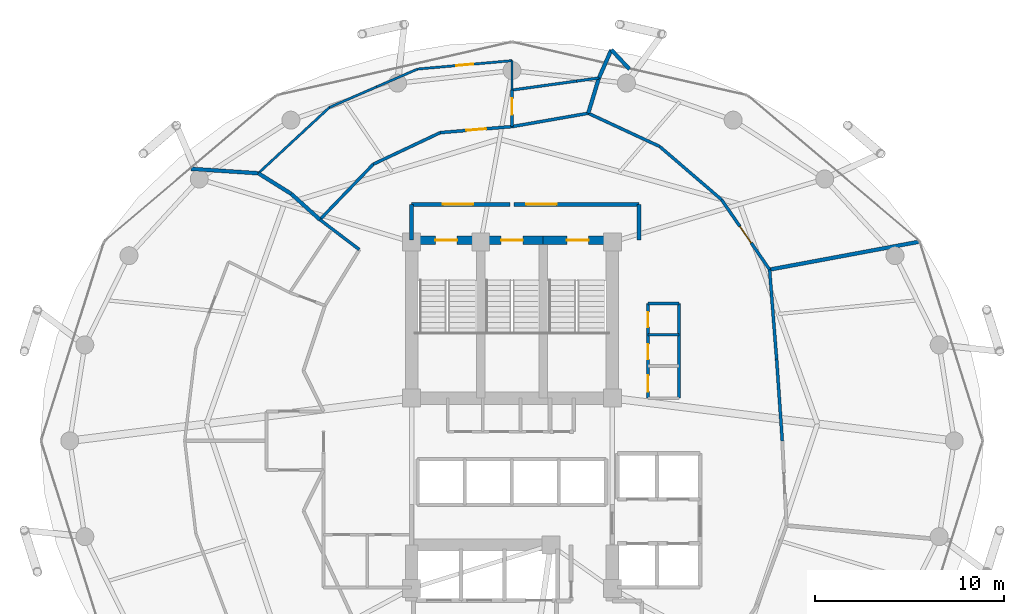
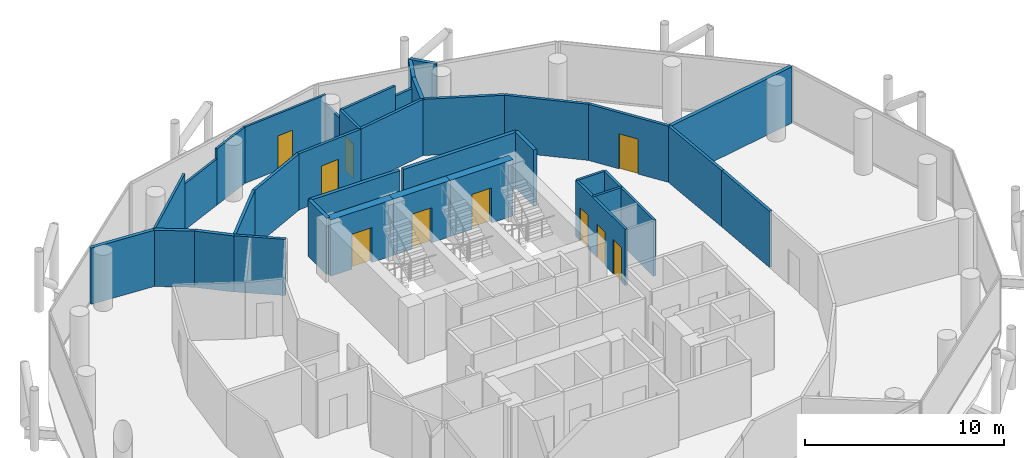
# One storey, part 24 of 26: 36 walls, 12 doors, 12 openings.
"""IFC4 building model written with IfcOpenShell, lengths in metres."""

from ifc_helpers import new_model, si_unit, direction, frame, frame_2d, origin, place, context, subcontext, project, spatial, rectangle, extrude, material, layer, layer_set, type_object, element, fill, save


model = new_model("IFC4")

# Units and contexts
model_context = context("Model", 3, precision=1e-05, world=origin(), true_north=direction((0.0, 1.0)))
body_context = subcontext(model_context, "Body", "Model", "MODEL_VIEW")
ifc_project = project(units=[si_unit("LENGTHUNIT", "METRE"), si_unit("AREAUNIT", "SQUARE_METRE"), si_unit("VOLUMEUNIT", "CUBIC_METRE"), si_unit("PLANEANGLEUNIT", "RADIAN"), si_unit("MASSUNIT", "GRAM", prefix="KILO")], contexts=[model_context])

# Site, building, storey
site_placement = place(None, origin())
site = spatial("IfcSite", under=ifc_project, at=site_placement, CompositionType="ELEMENT")
building_placement = place(site_placement, origin())
building = spatial("IfcBuilding", under=site, at=building_placement, Name="Nuhasar Tower", CompositionType="ELEMENT")
storey_placement = place(building_placement, frame((0.0, 0.0, 162.64990234375)))
storey = spatial("IfcBuildingStorey", under=building, at=storey_placement, Name="L39", CompositionType="ELEMENT", Elevation=162.64990234375)

# Wall, opening, door
ifc_material_1 = material(Name="Concrete C50/60", Category="concrete")
ifc_layer_1 = layer(ifc_material_1, 0.449951171875)
ifc_layer_set_1 = layer_set([ifc_layer_1], Name="Concrete C50/60")
wall_type_1 = type_object("IfcWallType", Name="WL-CORE-450", PredefinedType="SHEAR", material=ifc_layer_set_1)
wall_1_placement = place(storey_placement, frame((37.35009765625, 37.39990234375, 0.0), z_axis=(0.0, 0.0, 1.0), x_axis=(-1.0, 0.0, 0.0)))
wall_1 = element("IfcWall", 1, at=wall_1_placement, inside=storey, type_object=wall_type_1, Name="L39 Stairwell Shear Wall ST01-N", PredefinedType="SHEAR", context=body_context, shape_type="SweptSolid", body=[
    extrude(rectangle(XDim=3.650146484375, YDim=0.449951171875, at=frame_2d((1.8251953125, 0.0))), origin(), (0.0, 0.0, 1.0), 3.4501953125),
])
opening_1_placement = place(wall_1_placement, frame((1.25, 0.0, 0.0)))
opening_1 = element("IfcOpeningElement", 2, at=opening_1_placement, cuts=wall_1, Name="Opening DS-01", PredefinedType="OPENING", context=body_context, shape_type="SweptSolid", body=[
    extrude(rectangle(XDim=1.14990234375, YDim=2.14990234375, at=frame_2d((0.574951171875, 1.074951171875))), frame((0.0, 0.23486328125, 0.0), z_axis=(0.0, -1.0, 0.0), x_axis=(1.0, 0.0, 0.0)), (0.0, 0.0, 1.0), 0.469970703125),
])
ifc_material_2 = material(Name="Steel S355", Category="steel")
door_type_1 = type_object("IfcDoorType", Name="DR-STAIR-FD120-1150", OperationType="NOTDEFINED", PredefinedType="DOOR", material=ifc_material_2)
door_1_placement = place(opening_1_placement, origin())
door_1 = element("IfcDoor", 3, at=door_1_placement, inside=storey, type_object=door_type_1, Name="L39 Exit Stair ST-01 Door", OperationType="SINGLE_SWING_RIGHT", OverallHeight=2.14990234375, OverallWidth=1.14990234375, PredefinedType="DOOR", context=body_context, shape_type="SweptSolid", body=[
    extrude(rectangle(XDim=1.14990234375, YDim=2.14990234375, at=frame_2d((0.574951171875, 1.074951171875))), frame((0.0, 0.02490234375, 0.0), z_axis=(0.0, -1.0, 0.0), x_axis=(1.0, 0.0, 0.0)), (0.0, 0.0, 1.0), 0.050048828125),
])
fill(opening_1, door_1)

wall_2_placement = place(storey_placement, frame((40.64990234375, 37.39990234375, 0.0), z_axis=(0.0, 0.0, 1.0), x_axis=(-1.0, 0.0, 0.0)))
wall_2 = element("IfcWall", 4, at=wall_2_placement, inside=storey, type_object=wall_type_1, Name="L39 Stairwell Shear Wall ST03-N", PredefinedType="SHEAR", context=body_context, shape_type="SweptSolid", body=[
    extrude(rectangle(XDim=3.2998046875, YDim=0.449951171875, at=frame_2d((1.64990234375, 0.0))), origin(), (0.0, 0.0, 1.0), 3.4501953125),
])
opening_2_placement = place(wall_2_placement, frame((1.074951171875, 0.0, 0.0)))
opening_2 = element("IfcOpeningElement", 5, at=opening_2_placement, cuts=wall_2, Name="Opening DS-01", PredefinedType="OPENING", context=body_context, shape_type="SweptSolid", body=[
    extrude(rectangle(XDim=1.14990234375, YDim=2.14990234375, at=frame_2d((0.574951171875, 1.074951171875))), frame((0.0, 0.23486328125, 0.0), z_axis=(0.0, -1.0, 0.0), x_axis=(1.0, 0.0, 0.0)), (0.0, 0.0, 1.0), 0.469970703125),
])
door_2_placement = place(opening_2_placement, origin())
door_2 = element("IfcDoor", 6, at=door_2_placement, inside=storey, type_object=door_type_1, Name="L39 Exit Stair ST-03 Door", OperationType="SINGLE_SWING_RIGHT", OverallHeight=2.14990234375, OverallWidth=1.14990234375, PredefinedType="DOOR", context=body_context, shape_type="SweptSolid", body=[
    extrude(rectangle(XDim=1.14990234375, YDim=2.14990234375, at=frame_2d((0.574951171875, 1.074951171875))), frame((0.0, 0.02490234375, 0.0), z_axis=(0.0, -1.0, 0.0), x_axis=(1.0, 0.0, 0.0)), (0.0, 0.0, 1.0), 0.050048828125),
])
fill(opening_2, door_2)

wall_3_placement = place(storey_placement, frame((44.300048828125, 37.39990234375, 0.0), z_axis=(0.0, 0.0, 1.0), x_axis=(-1.0, 0.0, 0.0)))
wall_3 = element("IfcWall", 7, at=wall_3_placement, inside=storey, type_object=wall_type_1, Name="L39 Stairwell Shear Wall ST02-N", PredefinedType="SHEAR", context=body_context, shape_type="SweptSolid", body=[
    extrude(rectangle(XDim=3.650146484375, YDim=0.449951171875, at=frame_2d((1.8251953125, 0.0))), origin(), (0.0, 0.0, 1.0), 3.4501953125),
])
opening_3_placement = place(wall_3_placement, frame((1.25, 0.0, 0.0)))
opening_3 = element("IfcOpeningElement", 8, at=opening_3_placement, cuts=wall_3, Name="Opening DS-01", PredefinedType="OPENING", context=body_context, shape_type="SweptSolid", body=[
    extrude(rectangle(XDim=1.14990234375, YDim=2.14990234375, at=frame_2d((0.574951171875, 1.074951171875))), frame((0.0, 0.23486328125, 0.0), z_axis=(0.0, -1.0, 0.0), x_axis=(1.0, 0.0, 0.0)), (0.0, 0.0, 1.0), 0.469970703125),
])
door_3_placement = place(opening_3_placement, origin())
door_3 = element("IfcDoor", 9, at=door_3_placement, inside=storey, type_object=door_type_1, Name="L39 Exit Stair ST-02 Door", OperationType="SINGLE_SWING_LEFT", OverallHeight=2.14990234375, OverallWidth=1.14990234375, PredefinedType="DOOR", context=body_context, shape_type="SweptSolid", body=[
    extrude(rectangle(XDim=1.14990234375, YDim=2.14990234375, at=frame_2d((0.574951171875, 1.074951171875))), frame((0.0, 0.02490234375, 0.0), z_axis=(0.0, -1.0, 0.0), x_axis=(1.0, 0.0, 0.0)), (0.0, 0.0, 1.0), 0.050048828125),
])
fill(opening_3, door_3)

# Walls
ifc_material_3 = material(Name="Gypsum Board", Category="gypsum")
ifc_layer_2 = layer(ifc_material_3, 0.159912109375)
ifc_layer_set_2 = layer_set([ifc_layer_2], Name="Gypsum Board")
wall_type_2 = type_object("IfcWallType", Name="WL-CORR-160", PredefinedType="PARTITIONING", material=ifc_layer_set_2)
wall_4_placement = place(storey_placement, frame((53.27001953125, 26.800048828125, 0.0), z_axis=(0.0, 0.0, 1.0), x_axis=(-0.068997967222, 0.99761680044, 0.0)))
element("IfcWall", 10, at=wall_4_placement, inside=storey, type_object=wall_type_2, Name="L39 Interior Partition CORR-00", PredefinedType="PARTITIONING", context=body_context, shape_type="SweptSolid", body=[
    extrude(rectangle(XDim=4.3203125, YDim=0.159912109375, at=frame_2d((2.16015625, 0.0))), origin(), (0.0, 0.0, 1.0), 3.4501953125),
])
wall_5_placement = place(storey_placement, frame((52.971923828125, 31.110107421875, 0.0), z_axis=(0.0, 0.0, 1.0), x_axis=(-0.078589421441, 0.996907068306, 0.0)))
element("IfcWall", 11, at=wall_5_placement, inside=storey, type_object=wall_type_2, Name="L39 Interior Partition CORR-02", PredefinedType="PARTITIONING", context=body_context, shape_type="SweptSolid", body=[
    extrude(rectangle(XDim=4.74365234375, YDim=0.159912109375, at=frame_2d((2.371826171875, 0.0))), origin(), (0.0, 0.0, 1.0), 3.4501953125),
])

# Wall, opening, door
wall_6_placement = place(storey_placement, frame((50.06201171875, 39.533935546875, 0.0), z_axis=(0.0, 0.0, 1.0), x_axis=(0.566061755794, -0.824362837971, 0.0)))
wall_6 = element("IfcWall", 12, at=wall_6_placement, inside=storey, type_object=wall_type_2, Name="L39 Interior Partition CORR-04", PredefinedType="PARTITIONING", context=body_context, shape_type="SweptSolid", body=[
    extrude(rectangle(XDim=4.48193359375, YDim=0.159912109375, at=frame_2d((2.240966796875, 0.0))), origin(), (0.0, 0.0, 1.0), 3.4501953125),
])
opening_4_placement = place(wall_6_placement, frame((1.716064453125, 0.0, 0.0)))
opening_4 = element("IfcOpeningElement", 13, at=opening_4_placement, cuts=wall_6, Name="Opening DU-01", PredefinedType="OPENING", context=body_context, shape_type="SweptSolid", body=[
    extrude(rectangle(XDim=1.050048828125, YDim=2.14990234375, at=frame_2d((0.52490234375, 1.074951171875))), frame((0.0, 0.08984375, 0.0), z_axis=(0.0, -1.0, 0.0), x_axis=(1.0, 0.0, 0.0)), (0.0, 0.0, 1.0), 0.179931640625),
])
ifc_material_4 = material(Name="Timber Oak", Category="wood")
door_type_2 = type_object("IfcDoorType", Name="DR-SUITE-FD60-1050", OperationType="NOTDEFINED", PredefinedType="DOOR", material=ifc_material_4)
door_4_placement = place(opening_4_placement, origin())
door_4 = element("IfcDoor", 14, at=door_4_placement, inside=storey, type_object=door_type_2, Name="L39 Butler Catering Kitchen Entrance Door", OperationType="SINGLE_SWING_LEFT", OverallHeight=2.14990234375, OverallWidth=1.050048828125, PredefinedType="DOOR", context=body_context, shape_type="SweptSolid", body=[
    extrude(rectangle(XDim=1.050048828125, YDim=2.14990234375, at=frame_2d((0.52490234375, 1.074951171875))), frame((0.0, 0.02490234375, 0.0), z_axis=(0.0, -1.0, 0.0), x_axis=(1.0, 0.0, 0.0)), (0.0, 0.0, 1.0), 0.050048828125),
])
fill(opening_4, door_4)

# Walls
wall_7_placement = place(storey_placement, frame((50.06201171875, 39.533935546875, 0.0), z_axis=(0.0, 0.0, 1.0), x_axis=(-0.758367831638, 0.651826841989, 0.0)))
element("IfcWall", 15, at=wall_7_placement, inside=storey, type_object=wall_type_2, Name="L39 Interior Partition CORR-06", PredefinedType="PARTITIONING", context=body_context, shape_type="SweptSolid", body=[
    extrude(rectangle(XDim=4.30810546875, YDim=0.159912109375, at=frame_2d((2.154052734375, 0.0))), origin(), (0.0, 0.0, 1.0), 3.4501953125),
])
wall_8_placement = place(storey_placement, frame((46.794921875, 42.342041015625, 0.0), z_axis=(0.0, 0.0, 1.0), x_axis=(-0.906821379678, 0.421515106916, 0.0)))
element("IfcWall", 16, at=wall_8_placement, inside=storey, type_object=wall_type_2, Name="L39 Interior Partition CORR-08", PredefinedType="PARTITIONING", context=body_context, shape_type="SweptSolid", body=[
    extrude(rectangle(XDim=4.15625, YDim=0.159912109375, at=frame_2d((2.078125, 0.0))), origin(), (0.0, 0.0, 1.0), 3.4501953125),
])
wall_9_placement = place(storey_placement, frame((43.02587890625, 44.093994140625, 0.0), z_axis=(0.0, 0.0, 1.0), x_axis=(-0.985048212501, -0.172278899021, 0.0)))
element("IfcWall", 17, at=wall_9_placement, inside=storey, type_object=wall_type_2, Name="L39 Interior Partition CORR-10", PredefinedType="PARTITIONING", context=body_context, shape_type="SweptSolid", body=[
    extrude(rectangle(XDim=4.0869140625, YDim=0.159912109375, at=frame_2d((2.04345703125, 0.0))), origin(), (0.0, 0.0, 1.0), 3.4501953125),
])

# Wall, opening, door
wall_10_placement = place(storey_placement, frame((35.2119140625, 43.072021484375, 0.0), z_axis=(0.0, 0.0, 1.0), x_axis=(0.9964977572, 0.083619494707, 0.0)))
wall_10 = element("IfcWall", 18, at=wall_10_placement, inside=storey, type_object=wall_type_2, Name="L39 Interior Partition CORR-12", PredefinedType="PARTITIONING", context=body_context, shape_type="SweptSolid", body=[
    extrude(rectangle(XDim=3.801513671875, YDim=0.159912109375, at=frame_2d((1.90087890625, 0.0))), origin(), (0.0, 0.0, 1.0), 3.4501953125),
])
opening_5_placement = place(wall_10_placement, frame((1.3759765625, 0.0, 0.0)))
opening_5 = element("IfcOpeningElement", 19, at=opening_5_placement, cuts=wall_10, Name="Opening DU-01", PredefinedType="OPENING", context=body_context, shape_type="SweptSolid", body=[
    extrude(rectangle(XDim=1.050048828125, YDim=2.14990234375, at=frame_2d((0.52490234375, 1.074951171875))), frame((0.0, 0.08984375, 0.0), z_axis=(0.0, -1.0, 0.0), x_axis=(1.0, 0.0, 0.0)), (0.0, 0.0, 1.0), 0.179931640625),
])
door_5_placement = place(opening_5_placement, origin())
door_5 = element("IfcDoor", 20, at=door_5_placement, inside=storey, type_object=door_type_2, Name="L39 Ambassador Suite North-East Entrance Door", OperationType="SINGLE_SWING_LEFT", OverallHeight=2.14990234375, OverallWidth=1.050048828125, PredefinedType="DOOR", context=body_context, shape_type="SweptSolid", body=[
    extrude(rectangle(XDim=1.050048828125, YDim=2.14990234375, at=frame_2d((0.52490234375, 1.074951171875))), frame((0.0, 0.02490234375, 0.0), z_axis=(0.0, -1.0, 0.0), x_axis=(1.0, 0.0, 0.0)), (0.0, 0.0, 1.0), 0.050048828125),
])
fill(opening_5, door_5)

# Walls
wall_11_placement = place(storey_placement, frame((35.2119140625, 43.072021484375, 0.0), z_axis=(0.0, 0.0, 1.0), x_axis=(-0.904422045182, -0.426638915465, 0.0)))
element("IfcWall", 21, at=wall_11_placement, inside=storey, type_object=wall_type_2, Name="L39 Interior Partition CORR-14", PredefinedType="PARTITIONING", context=body_context, shape_type="SweptSolid", body=[
    extrude(rectangle(XDim=3.90966796875, YDim=0.159912109375, at=frame_2d((1.954833984375, 0.0))), origin(), (0.0, 0.0, 1.0), 3.4501953125),
])
wall_12_placement = place(storey_placement, frame((31.676025390625, 41.404052734375, 0.0), z_axis=(0.0, 0.0, 1.0), x_axis=(-0.693829815221, -0.720139005686, 0.0)))
element("IfcWall", 22, at=wall_12_placement, inside=storey, type_object=wall_type_2, Name="L39 Interior Partition CORR-16", PredefinedType="PARTITIONING", context=body_context, shape_type="SweptSolid", body=[
    extrude(rectangle(XDim=4.064453125, YDim=0.159912109375, at=frame_2d((2.0322265625, 0.0))), origin(), (0.0, 0.0, 1.0), 3.4501953125),
])
wall_13_placement = place(storey_placement, frame((30.93896484375, 36.89697265625, 0.0), z_axis=(0.0, 0.0, 1.0), x_axis=(-0.796716077532, 0.604353780332, 0.0)))
element("IfcWall", 23, at=wall_13_placement, inside=storey, type_object=wall_type_2, Name="L39 Interior Partition HRAD-18-IN", PredefinedType="PARTITIONING", context=body_context, shape_type="SweptSolid", body=[
    extrude(rectangle(XDim=2.614501953125, YDim=0.159912109375, at=frame_2d((1.30712890625, 0.0))), origin(), (0.0, 0.0, 1.0), 3.4501953125),
])
ifc_material_5 = material(Name="Concrete C45/55", Category="concrete")
ifc_layer_3 = layer(ifc_material_5, 0.199951171875)
ifc_layer_set_3 = layer_set([ifc_layer_3], Name="Concrete C45/55")
wall_type_3 = type_object("IfcWallType", Name="WL-LOBBY-200", PredefinedType="SOLIDWALL", material=ifc_layer_set_3)
for number, where, z_axis, x_axis, name in (
    (24, (33.699951171875, 37.39990234375, 0.0), (0.0, 0.0, 1.0), (0.0, 1.0, 0.0), "L39 Interior Partition NSL-W"),
    (25, (45.699951171875, 37.39990234375, 0.0), (0.0, 0.0, 1.0), (0.0, 1.0, 0.0), "L39 Interior Partition NSL-E"),
):
    element("IfcWall", number, at=place(storey_placement, frame(where, z_axis=z_axis, x_axis=x_axis)), inside=storey, type_object=wall_type_3, Name=name, PredefinedType="SOLIDWALL", context=body_context, shape_type="SweptSolid", body=[
        extrude(rectangle(XDim=1.880126953125, YDim=0.199951171875, at=frame_2d((0.93994140625, 0.0))), origin(), (0.0, 0.0, 1.0), 3.4501953125),
    ])

# Wall, opening, door
wall_14_placement = place(storey_placement, frame((38.89990234375, 39.280029296875, 0.0), z_axis=(0.0, 0.0, 1.0), x_axis=(-1.0, 0.0, 0.0)))
wall_14 = element("IfcWall", 26, at=wall_14_placement, inside=storey, type_object=wall_type_3, Name="L39 Interior Partition NSL-N1", PredefinedType="SOLIDWALL", context=body_context, shape_type="SweptSolid", body=[
    extrude(rectangle(XDim=5.199951171875, YDim=0.199951171875, at=frame_2d((2.60009765625, 0.0))), origin(), (0.0, 0.0, 1.0), 3.4501953125),
])
opening_6_placement = place(wall_14_placement, frame((1.949951171875, 0.0, 0.0)))
opening_6 = element("IfcOpeningElement", 27, at=opening_6_placement, cuts=wall_14, Name="Opening DC-01", PredefinedType="OPENING", context=body_context, shape_type="SweptSolid", body=[
    extrude(rectangle(XDim=1.60009765625, YDim=2.199951171875, at=frame_2d((0.800048828125, 1.10009765625))), frame((0.0, 0.10986328125, 0.0), z_axis=(0.0, -1.0, 0.0), x_axis=(1.0, 0.0, 0.0)), (0.0, 0.0, 1.0), 0.219970703125),
])
door_type_3 = type_object("IfcDoorType", Name="DR-CORR-FD60-1600", OperationType="DOUBLE_DOOR_SINGLE_SWING", PredefinedType="DOOR", material=ifc_material_2)
door_6_placement = place(opening_6_placement, origin())
door_6 = element("IfcDoor", 28, at=door_6_placement, inside=storey, type_object=door_type_3, Name="L39 North Stair Lobby West Door", OperationType="DOUBLE_DOOR_SINGLE_SWING", OverallHeight=2.199951171875, OverallWidth=1.60009765625, PredefinedType="DOOR", context=body_context, shape_type="SweptSolid", body=[
    extrude(rectangle(XDim=1.60009765625, YDim=2.199951171875, at=frame_2d((0.800048828125, 1.10009765625))), frame((0.0, 0.02490234375, 0.0), z_axis=(0.0, -1.0, 0.0), x_axis=(1.0, 0.0, 0.0)), (0.0, 0.0, 1.0), 0.050048828125),
])
fill(opening_6, door_6)

wall_15_placement = place(storey_placement, frame((45.699951171875, 39.280029296875, 0.0), z_axis=(0.0, 0.0, 1.0), x_axis=(-1.0, 0.0, 0.0)))
wall_15 = element("IfcWall", 29, at=wall_15_placement, inside=storey, type_object=wall_type_3, Name="L39 Interior Partition NSL-N2", PredefinedType="SOLIDWALL", context=body_context, shape_type="SweptSolid", body=[
    extrude(rectangle(XDim=6.599853515625, YDim=0.199951171875, at=frame_2d((3.2998046875, 0.0))), origin(), (0.0, 0.0, 1.0), 3.4501953125),
])
opening_7_placement = place(wall_15_placement, frame((4.35009765625, 0.0, 0.0)))
opening_7 = element("IfcOpeningElement", 30, at=opening_7_placement, cuts=wall_15, Name="Opening DC-01", PredefinedType="OPENING", context=body_context, shape_type="SweptSolid", body=[
    extrude(rectangle(XDim=1.60009765625, YDim=2.199951171875, at=frame_2d((0.800048828125, 1.10009765625))), frame((0.0, 0.10986328125, 0.0), z_axis=(0.0, -1.0, 0.0), x_axis=(1.0, 0.0, 0.0)), (0.0, 0.0, 1.0), 0.219970703125),
])
door_7_placement = place(opening_7_placement, origin())
door_7 = element("IfcDoor", 31, at=door_7_placement, inside=storey, type_object=door_type_3, Name="L39 North Stair Lobby East Door", OperationType="DOUBLE_DOOR_SINGLE_SWING", OverallHeight=2.199951171875, OverallWidth=1.60009765625, PredefinedType="DOOR", context=body_context, shape_type="SweptSolid", body=[
    extrude(rectangle(XDim=1.60009765625, YDim=2.199951171875, at=frame_2d((0.800048828125, 1.10009765625))), frame((0.0, 0.02490234375, 0.0), z_axis=(0.0, -1.0, 0.0), x_axis=(1.0, 0.0, 0.0)), (0.0, 0.0, 1.0), 0.050048828125),
])
fill(opening_7, door_7)

# Wall
ifc_layer_4 = layer(ifc_material_3, 0.125)
ifc_layer_set_4 = layer_set([ifc_layer_4], Name="Gypsum Board")
wall_type_4 = type_object("IfcWallType", Name="WL-PART-125", PredefinedType="PARTITIONING", material=ifc_layer_set_4)
wall_16_placement = place(storey_placement, frame((39.0, 45.320068359375, 0.0), z_axis=(0.0, 0.0, 1.0), x_axis=(0.0, 1.0, 0.0)))
element("IfcWall", 32, at=wall_16_placement, inside=storey, type_object=wall_type_4, Name="L39 Interior Partition HBS-05", PredefinedType="PARTITIONING", context=body_context, shape_type="SweptSolid", body=[
    extrude(rectangle(XDim=1.550048828125, YDim=0.125, at=frame_2d((0.77490234375, 0.0))), origin(), (0.0, 0.0, 1.0), 2.9150390625),
])

# Wall, opening, door
wall_17_placement = place(storey_placement, frame((34.013916015625, 46.428955078125, 0.0), z_axis=(0.0, 0.0, 1.0), x_axis=(0.996108594928, 0.088134369634, 0.0)))
wall_17 = element("IfcWall", 33, at=wall_17_placement, inside=storey, type_object=wall_type_4, Name="L39 Interior Partition HSAL-05-12", PredefinedType="PARTITIONING", context=body_context, shape_type="SweptSolid", body=[
    extrude(rectangle(XDim=5.005615234375, YDim=0.125, at=frame_2d((2.5029296875, 0.0))), origin(), (0.0, 0.0, 1.0), 3.4501953125),
])
opening_8_placement = place(wall_17_placement, frame((2.052978515625, 0.0, 0.0)))
opening_8 = element("IfcOpeningElement", 34, at=opening_8_placement, cuts=wall_17, Name="Opening DR-01", PredefinedType="OPENING", context=body_context, shape_type="SweptSolid", body=[
    extrude(rectangle(XDim=0.89990234375, YDim=2.10009765625, at=frame_2d((0.449951171875, 1.050048828125))), frame((0.0, 0.072509765625, 0.0), z_axis=(0.0, -1.0, 0.0), x_axis=(1.0, 0.0, 0.0)), (0.0, 0.0, 1.0), 0.14501953125),
])
door_type_4 = type_object("IfcDoorType", Name="DR-ROOM-900", OperationType="NOTDEFINED", PredefinedType="DOOR", material=ifc_material_4)
door_8_placement = place(opening_8_placement, origin())
door_8 = element("IfcDoor", 35, at=door_8_placement, inside=storey, type_object=door_type_4, Name="L39 Ambassador Suite North-East Bedroom Door", OperationType="SINGLE_SWING_LEFT", OverallHeight=2.10009765625, OverallWidth=0.89990234375, PredefinedType="DOOR", context=body_context, shape_type="SweptSolid", body=[
    extrude(rectangle(XDim=0.89990234375, YDim=2.10009765625, at=frame_2d((0.449951171875, 1.050048828125))), frame((0.0, 0.02490234375, 0.0), z_axis=(0.0, -1.0, 0.0), x_axis=(1.0, 0.0, 0.0)), (0.0, 0.0, 1.0), 0.050048828125),
])
fill(opening_8, door_8)

# Walls
wall_18_placement = place(storey_placement, frame((34.013916015625, 46.428955078125, 0.0), z_axis=(0.0, 0.0, 1.0), x_axis=(-0.916977586011, -0.398938725564, 0.0)))
element("IfcWall", 36, at=wall_18_placement, inside=storey, type_object=wall_type_4, Name="L39 Interior Partition HSAL-05-14", PredefinedType="PARTITIONING", context=body_context, shape_type="SweptSolid", body=[
    extrude(rectangle(XDim=2.351318359375, YDim=0.125, at=frame_2d((1.17578125, 0.0))), origin(), (0.0, 0.0, 1.0), 3.4501953125),
])
wall_19_placement = place(storey_placement, frame((31.85791015625, 45.490966796875, 0.0), z_axis=(0.0, 0.0, 1.0), x_axis=(-0.916850166373, -0.399231477242, 0.0)))
element("IfcWall", 37, at=wall_19_placement, inside=storey, type_object=wall_type_4, Name="L39 Interior Partition HSAL-05-14", PredefinedType="PARTITIONING", context=body_context, shape_type="SweptSolid", body=[
    extrude(rectangle(XDim=2.719970703125, YDim=0.125, at=frame_2d((1.35986328125, 0.0))), origin(), (0.0, 0.0, 1.0), 2.830078125),
])
wall_20_placement = place(storey_placement, frame((29.364013671875, 44.405029296875, 0.0), z_axis=(0.0, 0.0, 1.0), x_axis=(-0.733833747784, -0.679329103316, 0.0)))
element("IfcWall", 38, at=wall_20_placement, inside=storey, type_object=wall_type_4, Name="L39 Interior Partition HSAL-05-16", PredefinedType="PARTITIONING", context=body_context, shape_type="SweptSolid", body=[
    extrude(rectangle(XDim=5.119873046875, YDim=0.125, at=frame_2d((2.56005859375, 0.0))), origin(), (0.0, 0.0, 1.0), 3.4501953125),
])
ifc_material_6 = material(Name="Concrete C40/50 precast", Category="concrete")
ifc_layer_5 = layer(ifc_material_6, 0.199951171875)
ifc_layer_set_5 = layer_set([ifc_layer_5], Name="Concrete C40/50 precast")
wall_type_5 = type_object("IfcWallType", Name="WL-UNIT-200", PredefinedType="PARTITIONING", material=ifc_layer_set_5)
wall_21_placement = place(storey_placement, frame((28.85595703125, 38.47705078125, 0.0), z_axis=(0.0, 0.0, 1.0), x_axis=(-0.742630647444, 0.669701218064, 0.0)))
element("IfcWall", 39, at=wall_21_placement, inside=storey, type_object=wall_type_5, Name="L39 Interior Partition HRAD-18-OUT-S1", PredefinedType="PARTITIONING", context=body_context, shape_type="SweptSolid", body=[
    extrude(rectangle(XDim=2.031982421875, YDim=0.199951171875, at=frame_2d((1.01611328125, 0.0))), origin(), (0.0, 0.0, 1.0), 3.4501953125),
])
wall_22_placement = place(storey_placement, frame((27.346923828125, 39.837890625, 0.0), z_axis=(0.0, 0.0, 1.0), x_axis=(-0.847643984813, 0.530565429529, 0.0)))
element("IfcWall", 40, at=wall_22_placement, inside=storey, type_object=wall_type_5, Name="L39 Interior Partition HRAD-18-OUT-S2", PredefinedType="PARTITIONING", context=body_context, shape_type="SweptSolid", body=[
    extrude(rectangle(XDim=2.052734375, YDim=0.199951171875, at=frame_2d((1.0263671875, 0.0))), origin(), (0.0, 0.0, 1.0), 3.4501953125),
])
wall_23_placement = place(storey_placement, frame((25.60693359375, 40.927001953125, 0.0), z_axis=(0.0, 0.0, 1.0), x_axis=(-0.997870248491, 0.065230109433, 0.0)))
element("IfcWall", 41, at=wall_23_placement, inside=storey, type_object=wall_type_5, Name="L39 Interior Partition HRAD-18-OUT-S3", PredefinedType="PARTITIONING", context=body_context, shape_type="SweptSolid", body=[
    extrude(rectangle(XDim=3.570556640625, YDim=0.199951171875, at=frame_2d((1.78515625, 0.0))), origin(), (0.0, 0.0, 1.0), 3.4501953125),
])
wall_24_placement = place(storey_placement, frame((52.59912109375, 35.839111328125, 0.0), z_axis=(0.0, 0.0, 1.0), x_axis=(0.983059463928, 0.183286907283, 0.0)))
element("IfcWall", 42, at=wall_24_placement, inside=storey, type_object=wall_type_5, Name="L39 Interior Partition HRAD-04", PredefinedType="PARTITIONING", context=body_context, shape_type="SweptSolid", body=[
    extrude(rectangle(XDim=8.0361328125, YDim=0.199951171875, at=frame_2d((4.01806640625, 0.0))), origin(), (0.0, 0.0, 1.0), 3.4501953125),
])
wall_25_placement = place(storey_placement, frame((43.02587890625, 44.093994140625, 0.0), z_axis=(0.0, 0.0, 1.0), x_axis=(0.288948158406, 0.957344745509, 0.0)))
element("IfcWall", 43, at=wall_25_placement, inside=storey, type_object=wall_type_5, Name="L39 Interior Partition HRAD-10-S1", PredefinedType="PARTITIONING", context=body_context, shape_type="SweptSolid", body=[
    extrude(rectangle(XDim=1.945068359375, YDim=0.199951171875, at=frame_2d((0.97265625, 0.0))), origin(), (0.0, 0.0, 1.0), 3.4501953125),
])
wall_26_placement = place(storey_placement, frame((43.587890625, 45.9560546875, 0.0), z_axis=(0.0, 0.0, 1.0), x_axis=(0.403356140533, 0.915043072153, 0.0)))
element("IfcWall", 44, at=wall_26_placement, inside=storey, type_object=wall_type_5, Name="L39 Interior Partition HRAD-10-S2", PredefinedType="PARTITIONING", context=body_context, shape_type="SweptSolid", body=[
    extrude(rectangle(XDim=1.62939453125, YDim=0.199951171875, at=frame_2d((0.814697265625, 0.0))), origin(), (0.0, 0.0, 1.0), 3.4501953125),
])
wall_27_placement = place(storey_placement, frame((44.2451171875, 47.447021484375, 0.0), z_axis=(0.0, 0.0, 1.0), x_axis=(0.681811991259, -0.731527448955, 0.0)))
element("IfcWall", 45, at=wall_27_placement, inside=storey, type_object=wall_type_5, Name="L39 Interior Partition HRAD-10-S3", PredefinedType="PARTITIONING", context=body_context, shape_type="SweptSolid", body=[
    extrude(rectangle(XDim=1.409423828125, YDim=0.199951171875, at=frame_2d((0.70458984375, 0.0))), origin(), (0.0, 0.0, 1.0), 3.4501953125),
])

# Wall, openings, doors
ifc_layer_6 = layer(ifc_material_6, 0.139892578125)
ifc_layer_set_6 = layer_set([ifc_layer_6], Name="Concrete C40/50 precast")
wall_type_6 = type_object("IfcWallType", Name="WL-WET-140", PredefinedType="PARTITIONING", material=ifc_layer_set_6)
wall_28_placement = place(storey_placement, frame((46.179931640625, 34.050048828125, 0.0), z_axis=(0.0, 0.0, 1.0), x_axis=(0.0, -1.0, 0.0)))
wall_28 = element("IfcWall", 46, at=wall_28_placement, inside=storey, type_object=wall_type_6, Name="L39 Interior Partition K1-NE-W", PredefinedType="PARTITIONING", context=body_context, shape_type="SweptSolid", body=[
    extrude(rectangle(XDim=5.0, YDim=0.139892578125, at=frame_2d((2.5, 0.0))), origin(), (0.0, 0.0, 1.0), 3.4501953125),
])
opening_9_placement = place(wall_28_placement, frame((3.800048828125, 0.0, 0.0)))
opening_9 = element("IfcOpeningElement", 47, at=opening_9_placement, cuts=wall_28, Name="Opening DB-01", PredefinedType="OPENING", context=body_context, shape_type="SweptSolid", body=[
    extrude(rectangle(XDim=0.85009765625, YDim=2.10009765625, at=frame_2d((0.425048828125, 1.050048828125))), frame((0.0, 0.080078125, 0.0), z_axis=(0.0, -1.0, 0.0), x_axis=(1.0, 0.0, 0.0)), (0.0, 0.0, 1.0), 0.159912109375),
])
opening_10_placement = place(wall_28_placement, frame((2.14990234375, 0.0, 0.0)))
opening_10 = element("IfcOpeningElement", 48, at=opening_10_placement, cuts=wall_28, Name="Opening DM-01", PredefinedType="OPENING", context=body_context, shape_type="SweptSolid", body=[
    extrude(rectangle(XDim=0.800048828125, YDim=2.050048828125, at=frame_2d((0.39990234375, 1.02490234375))), frame((0.0, 0.080078125, 0.0), z_axis=(0.0, -1.0, 0.0), x_axis=(1.0, 0.0, 0.0)), (0.0, 0.0, 1.0), 0.159912109375),
])
opening_11_placement = place(wall_28_placement, frame((0.449951171875, 0.0, 0.0)))
opening_11 = element("IfcOpeningElement", 49, at=opening_11_placement, cuts=wall_28, Name="Opening DM-01", PredefinedType="OPENING", context=body_context, shape_type="SweptSolid", body=[
    extrude(rectangle(XDim=0.800048828125, YDim=2.050048828125, at=frame_2d((0.39990234375, 1.02490234375))), frame((0.0, 0.080078125, 0.0), z_axis=(0.0, -1.0, 0.0), x_axis=(1.0, 0.0, 0.0)), (0.0, 0.0, 1.0), 0.159912109375),
])
door_type_5 = type_object("IfcDoorType", Name="DR-BATH-850", OperationType="NOTDEFINED", PredefinedType="DOOR", material=ifc_material_4)
door_9_placement = place(opening_9_placement, origin())
door_9 = element("IfcDoor", 50, at=door_9_placement, inside=storey, type_object=door_type_5, Name="L39 NE Female WC Door", OperationType="SINGLE_SWING_RIGHT", OverallHeight=2.10009765625, OverallWidth=0.85009765625, PredefinedType="DOOR", context=body_context, shape_type="SweptSolid", body=[
    extrude(rectangle(XDim=0.85009765625, YDim=2.10009765625, at=frame_2d((0.425048828125, 1.050048828125))), frame((0.0, 0.02490234375, 0.0), z_axis=(0.0, -1.0, 0.0), x_axis=(1.0, 0.0, 0.0)), (0.0, 0.0, 1.0), 0.050048828125),
])
fill(opening_9, door_9)
door_type_6 = type_object("IfcDoorType", Name="DR-RISER-FD60-800", OperationType="NOTDEFINED", PredefinedType="DOOR", material=ifc_material_2)
door_10_placement = place(opening_10_placement, origin())
door_10 = element("IfcDoor", 51, at=door_10_placement, inside=storey, type_object=door_type_6, Name="L39 NE Meter Door", OperationType="SINGLE_SWING_RIGHT", OverallHeight=2.050048828125, OverallWidth=0.800048828125, PredefinedType="DOOR", context=body_context, shape_type="SweptSolid", body=[
    extrude(rectangle(XDim=0.800048828125, YDim=2.050048828125, at=frame_2d((0.39990234375, 1.02490234375))), frame((0.0, 0.02490234375, 0.0), z_axis=(0.0, -1.0, 0.0), x_axis=(1.0, 0.0, 0.0)), (0.0, 0.0, 1.0), 0.050048828125),
])
fill(opening_10, door_10)
door_11_placement = place(opening_11_placement, origin())
door_11 = element("IfcDoor", 52, at=door_11_placement, inside=storey, type_object=door_type_6, Name="L39 NE Telecom Door", OperationType="SINGLE_SWING_LEFT", OverallHeight=2.050048828125, OverallWidth=0.800048828125, PredefinedType="DOOR", context=body_context, shape_type="SweptSolid", body=[
    extrude(rectangle(XDim=0.800048828125, YDim=2.050048828125, at=frame_2d((0.39990234375, 1.02490234375))), frame((0.0, 0.02490234375, 0.0), z_axis=(0.0, -1.0, 0.0), x_axis=(1.0, 0.0, 0.0)), (0.0, 0.0, 1.0), 0.050048828125),
])
fill(opening_11, door_11)

# Walls
for number, where, z_axis, x_axis, name in (
    (53, (46.179931640625, 32.39990234375, 0.0), (0.0, 0.0, 1.0), (1.0, 0.0, 0.0), "L39 Interior Partition K1-NE-M2"),
    (54, (46.179931640625, 34.050048828125, 0.0), (0.0, 0.0, 1.0), (1.0, 0.0, 0.0), "L39 Interior Partition K1-NE-N"),
):
    element("IfcWall", number, at=place(storey_placement, frame(where, z_axis=z_axis, x_axis=x_axis)), inside=storey, type_object=wall_type_6, Name=name, PredefinedType="PARTITIONING", context=body_context, shape_type="SweptSolid", body=[
        extrude(rectangle(XDim=1.64013671875, YDim=0.139892578125, at=frame_2d((0.820068359375, 0.0))), origin(), (0.0, 0.0, 1.0), 3.4501953125),
    ])
wall_29_placement = place(storey_placement, frame((47.820068359375, 29.050048828125, 0.0), z_axis=(0.0, 0.0, 1.0), x_axis=(0.0, 1.0, 0.0)))
element("IfcWall", 55, at=wall_29_placement, inside=storey, type_object=wall_type_6, Name="L39 Interior Partition K1-NE-E", PredefinedType="PARTITIONING", context=body_context, shape_type="SweptSolid", body=[
    extrude(rectangle(XDim=5.0, YDim=0.139892578125, at=frame_2d((2.5, 0.0))), origin(), (0.0, 0.0, 1.0), 3.4501953125),
])

# Wall, opening, door
wall_30_placement = place(storey_placement, frame((39.0, 43.389892578125, 0.0), z_axis=(0.0, 0.0, 1.0), x_axis=(0.0, 1.0, 0.0)))
wall_30 = element("IfcWall", 56, at=wall_30_placement, inside=storey, type_object=wall_type_6, Name="L39 Interior Partition HBW-05", PredefinedType="PARTITIONING", context=body_context, shape_type="SweptSolid", body=[
    extrude(rectangle(XDim=1.93017578125, YDim=0.139892578125, at=frame_2d((0.965087890625, 0.0))), origin(), (0.0, 0.0, 1.0), 3.4501953125),
])
opening_12_placement = place(wall_30_placement, frame((0.635986328125, 0.0, 0.0)))
opening_12 = element("IfcOpeningElement", 57, at=opening_12_placement, cuts=wall_30, Name="Opening DB-01", PredefinedType="OPENING", context=body_context, shape_type="SweptSolid", body=[
    extrude(rectangle(XDim=0.85009765625, YDim=2.10009765625, at=frame_2d((0.425048828125, 1.050048828125))), frame((0.0, 0.080078125, 0.0), z_axis=(0.0, -1.0, 0.0), x_axis=(1.0, 0.0, 0.0)), (0.0, 0.0, 1.0), 0.159912109375),
])
door_12_placement = place(opening_12_placement, origin())
door_12 = element("IfcDoor", 58, at=door_12_placement, inside=storey, type_object=door_type_5, Name="L39 Ambassador Suite North-East En-Suite Door", OperationType="SINGLE_SWING_RIGHT", OverallHeight=2.10009765625, OverallWidth=0.85009765625, PredefinedType="DOOR", context=body_context, shape_type="SweptSolid", body=[
    extrude(rectangle(XDim=0.85009765625, YDim=2.10009765625, at=frame_2d((0.425048828125, 1.050048828125))), frame((0.0, 0.02490234375, 0.0), z_axis=(0.0, -1.0, 0.0), x_axis=(1.0, 0.0, 0.0)), (0.0, 0.0, 1.0), 0.050048828125),
])
fill(opening_12, door_12)

# Walls
wall_31_placement = place(storey_placement, frame((43.587890625, 45.9560546875, 0.0), z_axis=(0.0, 0.0, 1.0), x_axis=(-0.990487649922, -0.137601654613, 0.0)))
element("IfcWall", 59, at=wall_31_placement, inside=storey, type_object=wall_type_6, Name="L39 Interior Partition HBF-05-10", PredefinedType="PARTITIONING", context=body_context, shape_type="SweptSolid", body=[
    extrude(rectangle(XDim=1.199462890625, YDim=0.139892578125, at=frame_2d((0.599609375, 0.0))), origin(), (0.0, 0.0, 1.0), 2.830078125),
])
wall_32_placement = place(storey_placement, frame((42.39990234375, 45.791015625, 0.0), z_axis=(0.0, 0.0, 1.0), x_axis=(-0.990542283226, -0.137207817345, 0.0)))
element("IfcWall", 60, at=wall_32_placement, inside=storey, type_object=wall_type_6, Name="L39 Interior Partition HBF-05-10", PredefinedType="PARTITIONING", context=body_context, shape_type="SweptSolid", body=[
    extrude(rectangle(XDim=3.432373046875, YDim=0.139892578125, at=frame_2d((1.71630859375, 0.0))), origin(), (0.0, 0.0, 1.0), 3.4501953125),
])

save(model, "model.ifc")
